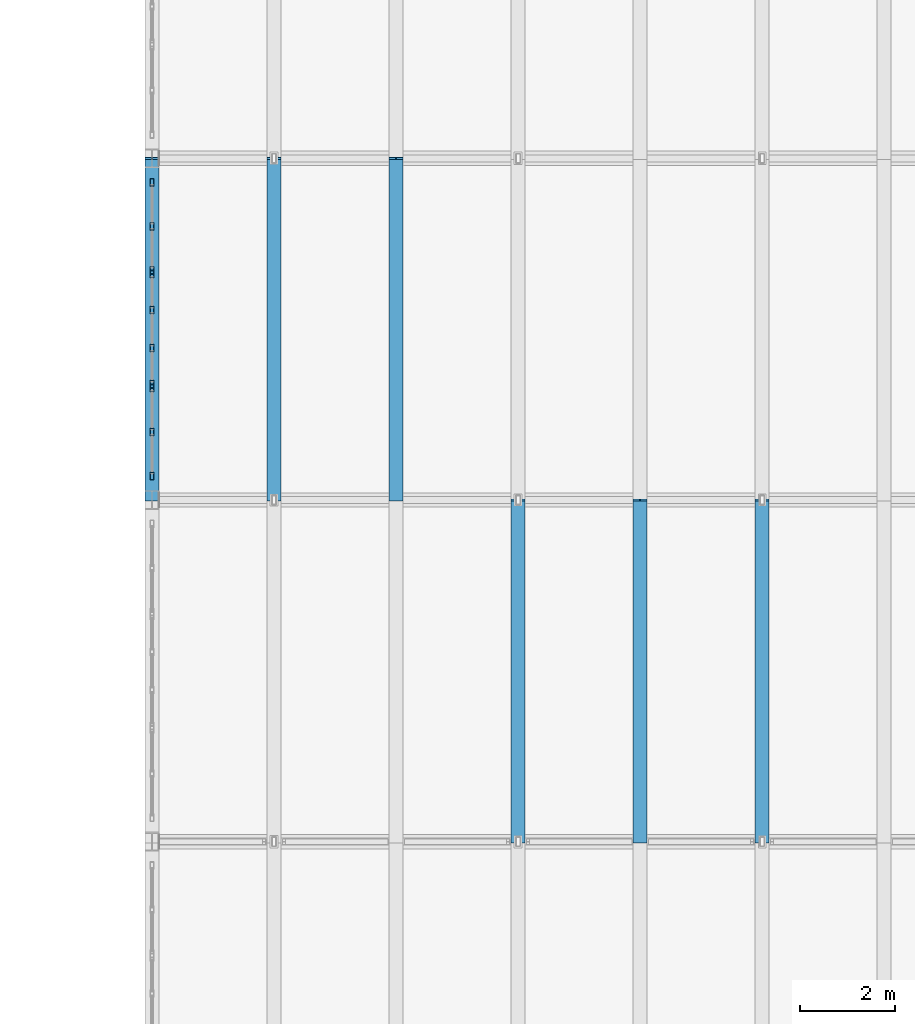
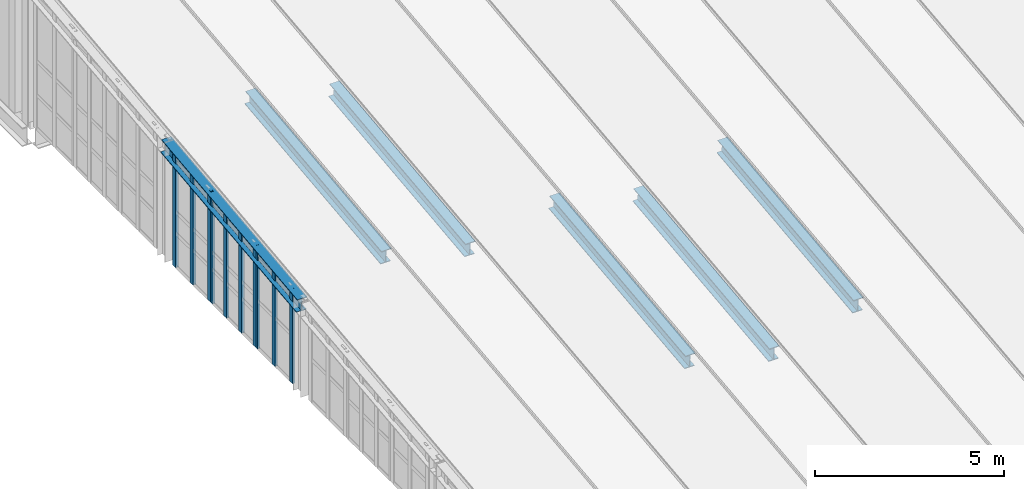
# One storey, part 10 of 48: 10 members, 6 beams, 3 elements without a shape of their own.
"""IFC4 building model written with IfcOpenShell, lengths in metres."""

from ifc_helpers import new_model, si_unit, direction, frame, origin, origin_2d, place, context, subcontext, project, spatial, hollow_rectangle, i_section, extrude, material, layer, layer_set, material_profile, profile_set, type_object, element, aggregate, save


model = new_model("IFC4")

# Units and contexts
model_context = context("Model", 3, precision=1e-05, world=origin(), true_north=direction((0.0, 1.0)))
body_context = subcontext(model_context, "Body", "Model", "MODEL_VIEW")
ifc_project = project(units=[si_unit("LENGTHUNIT", "METRE"), si_unit("AREAUNIT", "SQUARE_METRE"), si_unit("VOLUMEUNIT", "CUBIC_METRE"), si_unit("PLANEANGLEUNIT", "RADIAN"), si_unit("MASSUNIT", "GRAM", prefix="KILO"), si_unit("THERMODYNAMICTEMPERATUREUNIT", "KELVIN"), si_unit("POWERUNIT", "WATT")], contexts=[model_context])

# Site, building, storey
site_placement = place(None, origin())
site = spatial("IfcSite", under=ifc_project, at=site_placement, CompositionType="ELEMENT")
building_placement = place(site_placement, origin())
building = spatial("IfcBuilding", under=site, at=building_placement, Name="Kaldorven Railside Theatre", CompositionType="ELEMENT")
storey_placement = place(building_placement, frame((0.0, 0.0, 18.89990234375)))
storey = spatial("IfcBuildingStorey", under=building, at=storey_placement, Name="L04", CompositionType="ELEMENT", Elevation=18.89990234375)

# Beams
ifc_material_1 = material(Name="Steel S355", Category="steel")
ifc_material_profile_1 = material_profile(ifc_material_1, i_section(OverallWidth=0.300048828125, OverallDepth=0.449951171875, WebThickness=0.013916015625, FlangeThickness=0.02587890625, at=origin_2d()), Name="HEB 450")
ifc_profile_set_1 = profile_set([ifc_material_profile_1], Name="Steel S355")
beam_type = type_object("IfcBeamType", Name="BM-HEB450", PredefinedType="BEAM", material=ifc_profile_set_1)
for number, where, z_axis, x_axis, name in (
    (1, (87.199951171875, 69.60009765625, 2.824462890625), (0.0, 0.993579716392, 0.113134199846), (-1.0, 0.0, 0.0), "V1 Folded-Plate Valley Girder VB-010"),
    (2, (89.771484375, 69.60009765625, 3.489501953125), (0.0, 0.993579716392, 0.113134199846), (-1.0, 0.0, 0.0), "V1 Folded-Plate Ridge Girder RB-016"),
    (3, (92.343017578125, 69.60009765625, 2.824462890625), (0.0, 0.993579716392, 0.113134199846), (-1.0, 0.0, 0.0), "V1 Folded-Plate Valley Girder VB-022"),
):
    element("IfcBeam", number, at=place(storey_placement, frame(where, z_axis=z_axis, x_axis=x_axis)), inside=storey, type_object=beam_type, Name=name, PredefinedType="BEAM", context=body_context, shape_type="SweptSolid", body=[
        extrude(i_section(OverallWidth=0.300048828125, OverallDepth=0.449951171875, WebThickness=0.013916015625, FlangeThickness=0.02587890625, at=origin_2d()), origin(), (0.0, 0.0, 1.0), 7.24658203125),
    ])
for number, where, z_axis, x_axis, name in (
    (4, (94.914306640625, 62.39990234375, 2.66943359375), (0.0, 0.993576360175, 0.113163671295), (-1.0, 0.0, 0.0), "V1 Folded-Plate Ridge Girder RB-027"),
    (5, (97.485595703125, 62.39990234375, 2.00439453125), (0.0, 0.993576360175, 0.113163671295), (-1.0, 0.0, 0.0), "V1 Folded-Plate Valley Girder VB-033"),
    (6, (100.05712890625, 62.39990234375, 2.66943359375), (0.0, 0.993576360175, 0.113163671295), (-1.0, 0.0, 0.0), "V1 Folded-Plate Ridge Girder RB-039"),
):
    element("IfcBeam", number, at=place(storey_placement, frame(where, z_axis=z_axis, x_axis=x_axis)), inside=storey, type_object=beam_type, Name=name, PredefinedType="BEAM", context=body_context, shape_type="SweptSolid", body=[
        extrude(i_section(OverallWidth=0.300048828125, OverallDepth=0.449951171875, WebThickness=0.013916015625, FlangeThickness=0.02587890625, at=origin_2d()), origin(), (0.0, 0.0, 1.0), 7.246826171875),
    ])

# Curtain wall, members
ifc_material_2 = material(Name="Low-E laminated solar-control glass", Category="glass")
ifc_layer_1 = layer(ifc_material_2, 0.159912109375, Name="Low-E laminated solar-control glass")
ifc_layer_set_1 = layer_set([ifc_layer_1], Name="Low-E laminated solar-control glass")
curtain_wall_type_1 = type_object("IfcCurtainWallType", Name="CWT-35", PredefinedType="USERDEFINED", material=ifc_layer_set_1)
curtain_wall_1_placement = place(storey_placement, origin())
curtain_wall_1 = element("IfcCurtainWall", 7, at=curtain_wall_1_placement, inside=storey, type_object=curtain_wall_type_1, Name="Main Theatre West Eave Clerestory CWG-011", ObjectType="FLUTED GLAZING", PredefinedType="USERDEFINED")
ifc_material_3 = material(Name="Anodised bronze aluminium", Category="aluminium")
ifc_material_profile_2 = material_profile(ifc_material_3, hollow_rectangle(XDim=0.080078125, YDim=0.159912109375, WallThickness=0.00634765625, at=origin_2d()), Name="RHS 160x80x6.3")
ifc_profile_set_2 = profile_set([ifc_material_profile_2], Name="Anodised bronze aluminium")
member_type = type_object("IfcMemberType", Name="CWM-160", PredefinedType="MULLION", material=ifc_profile_set_2)
member_1_placement = place(storey_placement, frame((87.199951171875, 70.10498046875, 0.02001953125), z_axis=(0.0, 0.0, 1.0), x_axis=(-1.0, 0.0, 0.0)))
member_1 = element("IfcMember", 8, at=member_1_placement, type_object=member_type, Name="CWG-011 mullion 1", PredefinedType="MULLION", context=body_context, shape_type="SweptSolid", body=[
    extrude(hollow_rectangle(XDim=0.080078125, YDim=0.159912109375, WallThickness=0.00634765625, at=origin_2d()), origin(), (0.0, 0.0, 1.0), 3.080078125),
])
member_2_placement = place(storey_placement, frame((87.199951171875, 71.032470703125, 0.02001953125), z_axis=(0.0, 0.0, 1.0), x_axis=(-1.0, 0.0, 0.0)))
member_2 = element("IfcMember", 9, at=member_2_placement, type_object=member_type, Name="CWG-011 mullion 2", PredefinedType="MULLION", context=body_context, shape_type="SweptSolid", body=[
    extrude(hollow_rectangle(XDim=0.080078125, YDim=0.159912109375, WallThickness=0.00634765625, at=origin_2d()), origin(), (0.0, 0.0, 1.0), 3.080078125),
])
member_3_placement = place(storey_placement, frame((87.199951171875, 71.9599609375, 0.02001953125), z_axis=(0.0, 0.0, 1.0), x_axis=(-1.0, 0.0, 0.0)))
member_3 = element("IfcMember", 10, at=member_3_placement, type_object=member_type, Name="CWG-011 mullion 3", PredefinedType="MULLION", context=body_context, shape_type="SweptSolid", body=[
    extrude(hollow_rectangle(XDim=0.080078125, YDim=0.159912109375, WallThickness=0.00634765625, at=origin_2d()), origin(), (0.0, 0.0, 1.0), 3.080078125),
])
aggregate(curtain_wall_1, [member_1, member_2, member_3])

ifc_layer_2 = layer(ifc_material_2, 0.159912109375, Name="Low-E laminated solar-control glass")
ifc_layer_set_2 = layer_set([ifc_layer_2], Name="Low-E laminated solar-control glass")
curtain_wall_type_2 = type_object("IfcCurtainWallType", Name="CWT-36", PredefinedType="USERDEFINED", material=ifc_layer_set_2)
curtain_wall_2_placement = place(storey_placement, origin())
curtain_wall_2 = element("IfcCurtainWall", 11, at=curtain_wall_2_placement, inside=storey, type_object=curtain_wall_type_2, Name="Main Theatre West Eave Clerestory CWG-012", ObjectType="FLUTED GLAZING", PredefinedType="USERDEFINED")
member_4_placement = place(storey_placement, frame((87.199951171875, 72.0400390625, 0.02001953125), z_axis=(0.0, 0.0, 1.0), x_axis=(-1.0, 0.0, 0.0)))
member_4 = element("IfcMember", 12, at=member_4_placement, type_object=member_type, Name="CWG-012 mullion 1", PredefinedType="MULLION", context=body_context, shape_type="SweptSolid", body=[
    extrude(hollow_rectangle(XDim=0.080078125, YDim=0.159912109375, WallThickness=0.00634765625, at=origin_2d()), origin(), (0.0, 0.0, 1.0), 3.300048828125),
])
member_5_placement = place(storey_placement, frame((87.199951171875, 72.800048828125, 0.02001953125), z_axis=(0.0, 0.0, 1.0), x_axis=(-1.0, 0.0, 0.0)))
member_5 = element("IfcMember", 13, at=member_5_placement, type_object=member_type, Name="CWG-012 mullion 2", PredefinedType="MULLION", context=body_context, shape_type="SweptSolid", body=[
    extrude(hollow_rectangle(XDim=0.080078125, YDim=0.159912109375, WallThickness=0.00634765625, at=origin_2d()), origin(), (0.0, 0.0, 1.0), 3.300048828125),
])
member_6_placement = place(storey_placement, frame((87.199951171875, 73.60009765625, 0.02001953125), z_axis=(0.0, 0.0, 1.0), x_axis=(-1.0, 0.0, 0.0)))
member_6 = element("IfcMember", 14, at=member_6_placement, type_object=member_type, Name="CWG-012 mullion 3", PredefinedType="MULLION", context=body_context, shape_type="SweptSolid", body=[
    extrude(hollow_rectangle(XDim=0.080078125, YDim=0.159912109375, WallThickness=0.00634765625, at=origin_2d()), origin(), (0.0, 0.0, 1.0), 3.300048828125),
])
member_7_placement = place(storey_placement, frame((87.199951171875, 74.360107421875, 0.02001953125), z_axis=(0.0, 0.0, 1.0), x_axis=(-1.0, 0.0, 0.0)))
member_7 = element("IfcMember", 15, at=member_7_placement, type_object=member_type, Name="CWG-012 mullion 4", PredefinedType="MULLION", context=body_context, shape_type="SweptSolid", body=[
    extrude(hollow_rectangle(XDim=0.080078125, YDim=0.159912109375, WallThickness=0.00634765625, at=origin_2d()), origin(), (0.0, 0.0, 1.0), 3.300048828125),
])
aggregate(curtain_wall_2, [member_4, member_5, member_6, member_7])

ifc_layer_3 = layer(ifc_material_2, 0.159912109375, Name="Low-E laminated solar-control glass")
ifc_layer_set_3 = layer_set([ifc_layer_3], Name="Low-E laminated solar-control glass")
curtain_wall_type_3 = type_object("IfcCurtainWallType", Name="CWT-37", PredefinedType="USERDEFINED", material=ifc_layer_set_3)
curtain_wall_3_placement = place(storey_placement, origin())
curtain_wall_3 = element("IfcCurtainWall", 16, at=curtain_wall_3_placement, inside=storey, type_object=curtain_wall_type_3, Name="Main Theatre West Eave Clerestory CWG-013", ObjectType="FLUTED GLAZING", PredefinedType="USERDEFINED")
member_8_placement = place(storey_placement, frame((87.199951171875, 74.43994140625, 0.02001953125), z_axis=(0.0, 0.0, 1.0), x_axis=(-1.0, 0.0, 0.0)))
member_8 = element("IfcMember", 17, at=member_8_placement, type_object=member_type, Name="CWG-013 mullion 1", PredefinedType="MULLION", context=body_context, shape_type="SweptSolid", body=[
    extrude(hollow_rectangle(XDim=0.080078125, YDim=0.159912109375, WallThickness=0.00634765625, at=origin_2d()), origin(), (0.0, 0.0, 1.0), 3.580078125),
])
member_9_placement = place(storey_placement, frame((87.199951171875, 75.367431640625, 0.02001953125), z_axis=(0.0, 0.0, 1.0), x_axis=(-1.0, 0.0, 0.0)))
member_9 = element("IfcMember", 18, at=member_9_placement, type_object=member_type, Name="CWG-013 mullion 2", PredefinedType="MULLION", context=body_context, shape_type="SweptSolid", body=[
    extrude(hollow_rectangle(XDim=0.080078125, YDim=0.159912109375, WallThickness=0.00634765625, at=origin_2d()), origin(), (0.0, 0.0, 1.0), 3.580078125),
])
member_10_placement = place(storey_placement, frame((87.199951171875, 76.294921875, 0.02001953125), z_axis=(0.0, 0.0, 1.0), x_axis=(-1.0, 0.0, 0.0)))
member_10 = element("IfcMember", 19, at=member_10_placement, type_object=member_type, Name="CWG-013 mullion 3", PredefinedType="MULLION", context=body_context, shape_type="SweptSolid", body=[
    extrude(hollow_rectangle(XDim=0.080078125, YDim=0.159912109375, WallThickness=0.00634765625, at=origin_2d()), origin(), (0.0, 0.0, 1.0), 3.580078125),
])
aggregate(curtain_wall_3, [member_8, member_9, member_10])

save(model, "model.ifc")
